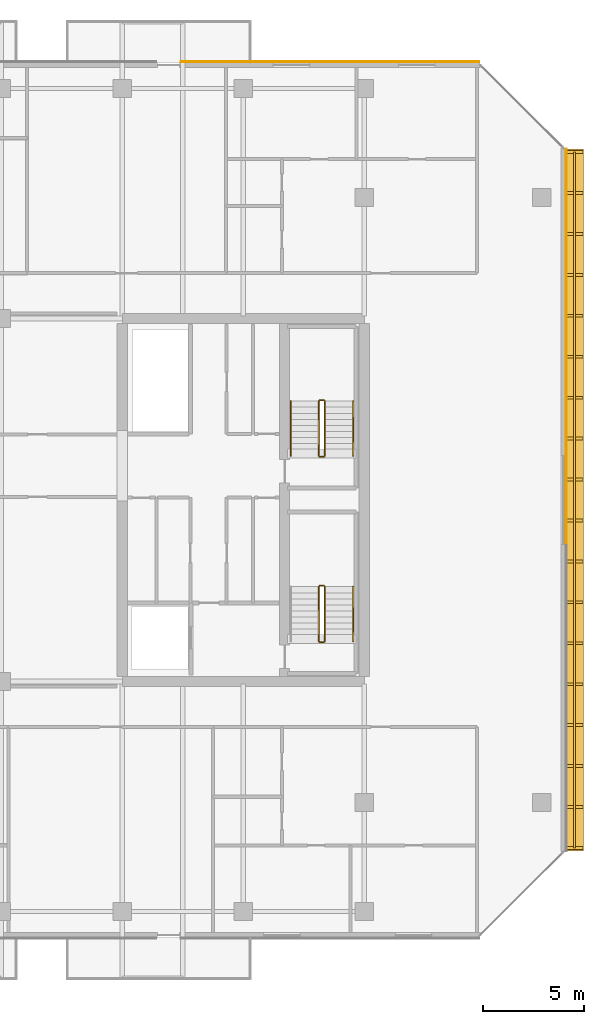
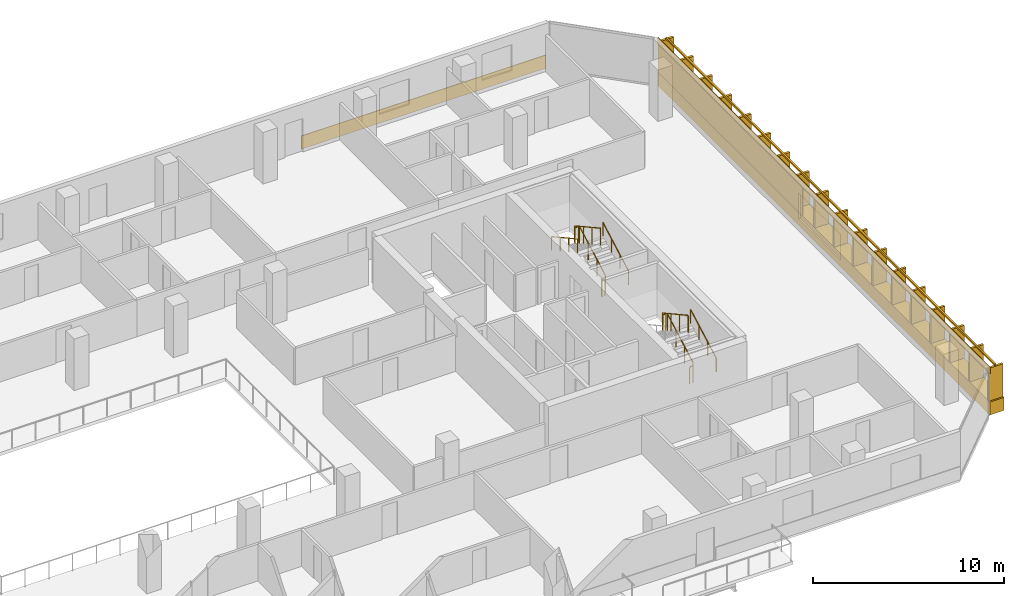
# One storey, part 29 of 29: 12 railings, 4 coverings.
"""IFC4 building model written with IfcOpenShell, lengths in metres."""

from ifc_helpers import new_model, si_unit, direction, frame, origin, origin_2d, place, context, subcontext, project, spatial, rectangle, extrude, material, layer, layer_set, type_object, element, save


model = new_model("IFC4")

# Units and contexts
model_context = context("Model", 3, precision=1e-05, world=origin(), true_north=direction((0.0, 1.0)))
body_context = subcontext(model_context, "Body", "Model", "MODEL_VIEW")
ifc_project = project(units=[si_unit("LENGTHUNIT", "METRE"), si_unit("AREAUNIT", "SQUARE_METRE"), si_unit("VOLUMEUNIT", "CUBIC_METRE"), si_unit("PLANEANGLEUNIT", "RADIAN"), si_unit("MASSUNIT", "GRAM", prefix="KILO")], contexts=[model_context])

# Site, building, storey
site_placement = place(None, origin())
site = spatial("IfcSite", under=ifc_project, at=site_placement, CompositionType="ELEMENT")
building_placement = place(site_placement, origin())
building = spatial("IfcBuilding", under=site, at=building_placement, Name="Tanjung Sevakor Pilgrim Tower", CompositionType="ELEMENT")
storey_placement = place(building_placement, frame((0.0, 0.0, 148.5)))
storey = spatial("IfcBuildingStorey", under=building, at=storey_placement, Name="L41", CompositionType="ELEMENT", Elevation=148.5)

# Coverings
ifc_material_1 = material(Name="Reconstructed Limestone Cladding", Category="masonry")
ifc_layer = layer(ifc_material_1, 0.044921875)
ifc_layer_set = layer_set([ifc_layer], Name="COV-CLAD-LIMESTONE")
covering_type = type_object("IfcCoveringType", Name="COV-CLAD-LIMESTONE", PredefinedType="CLADDING", material=ifc_layer_set)
covering_1_placement = place(storey_placement, frame((100.429931640625, 33.60009765625, 0.009765625), z_axis=(0.0, 0.0, 1.0), x_axis=(0.0, 1.0, 0.0)))
element("IfcCovering", 1, at=covering_1_placement, inside=storey, type_object=covering_type, Name="L41 Warm Limestone Sill Spandrel EW-L41-MAIN-7-1", PredefinedType="CLADDING", context=body_context, shape_type="SweptSolid", body=[
    extrude(rectangle(XDim=34.81640625, YDim=0.860107421875, at=origin_2d()), origin(), (0.0, 0.0, 1.0), 0.840087890625),
])
covering_2_placement = place(storey_placement, frame((100.0224609375, 33.60009765625, 2.66015625), z_axis=(0.0, 0.0, 1.0), x_axis=(0.0, 1.0, 0.0)))
element("IfcCovering", 2, at=covering_2_placement, inside=storey, type_object=covering_type, Name="L41 Warm Limestone Cornice Spandrel EW-L41-MAIN-7", PredefinedType="CLADDING", context=body_context, shape_type="SweptSolid", body=[
    extrude(rectangle(XDim=34.8564453125, YDim=0.044921875, at=origin_2d()), origin(), (0.0, 0.0, 1.0), 0.409912109375),
])
covering_3_placement = place(storey_placement, frame((100.0224609375, 43.42919921875, 0.849853515625), z_axis=(0.0, 0.0, 1.0), x_axis=(0.0, 1.0, 0.0)))
element("IfcCovering", 3, at=covering_3_placement, inside=storey, type_object=covering_type, Name="L41 Warm Limestone Pier Panel EW-L41-MAIN-7-2", PredefinedType="CLADDING", context=body_context, shape_type="SweptSolid", body=[
    extrude(rectangle(XDim=15.158203125, YDim=0.044921875, at=origin_2d()), origin(), (0.0, 0.0, 1.0), 1.81005859375),
])
covering_4_placement = place(storey_placement, frame((88.30908203125, 55.322509765625, 0.009765625), z_axis=(0.0, 0.0, 1.0), x_axis=(-1.0, 0.0, 0.0)))
element("IfcCovering", 4, at=covering_4_placement, inside=storey, type_object=covering_type, Name="L41 Warm Limestone Sill Spandrel EW-L41-MAIN-9-1", PredefinedType="CLADDING", context=body_context, shape_type="SweptSolid", body=[
    extrude(rectangle(XDim=14.798095703125, YDim=0.044921875, at=origin_2d()), origin(), (0.0, 0.0, 1.0), 0.840087890625),
])

# Railings
ifc_material_2 = material(Name="Anodised Bronze Aluminium 6063-T6", Category="aluminium")
railing_type_1 = type_object("IfcRailingType", Name="RL-FIN-SCREEN", PredefinedType="BALUSTRADE", material=ifc_material_2)
railing_1_placement = place(storey_placement, frame((100.425048828125, 16.351806640625, 0.840087890625)))
element("IfcRailing", 5, at=railing_1_placement, inside=storey, type_object=railing_type_1, Name="L41 Vertical Bronze-Gold Solar Fin Screen FNEND-EW-L41-MAIN-7-1", PredefinedType="BALUSTRADE", context=body_context, shape_type="SweptSolid", body=[
    extrude(rectangle(XDim=0.105, YDim=0.105), frame((0.0, 0.0, 2.157470703125), z_axis=(0.0, 1.0, 0.0), x_axis=(-1.0, 0.0, 0.0)), (0.0, 0.0, 1.0), 34.496337890625),
    extrude(rectangle(XDim=0.85, YDim=0.14), origin(), (0.0, 0.0, 1.0), 2.10498046875),
    extrude(rectangle(XDim=0.85, YDim=0.14), frame((0.0, 2.029296875, 0.0)), (0.0, 0.0, 1.0), 2.10498046875),
    extrude(rectangle(XDim=0.85, YDim=0.14), frame((0.0, 4.058349609375, 0.0)), (0.0, 0.0, 1.0), 2.10498046875),
    extrude(rectangle(XDim=0.85, YDim=0.14), frame((0.0, 6.087646484375, 0.0)), (0.0, 0.0, 1.0), 2.10498046875),
    extrude(rectangle(XDim=0.85, YDim=0.14), frame((0.0, 8.11669921875, 0.0)), (0.0, 0.0, 1.0), 2.10498046875),
    extrude(rectangle(XDim=0.85, YDim=0.14), frame((0.0, 10.14599609375, 0.0)), (0.0, 0.0, 1.0), 2.10498046875),
    extrude(rectangle(XDim=0.85, YDim=0.14), frame((0.0, 12.17529296875, 0.0)), (0.0, 0.0, 1.0), 2.10498046875),
    extrude(rectangle(XDim=0.85, YDim=0.14), frame((0.0, 14.204345703125, 0.0)), (0.0, 0.0, 1.0), 2.10498046875),
    extrude(rectangle(XDim=0.85, YDim=0.14), frame((0.0, 16.233642578125, 0.0)), (0.0, 0.0, 1.0), 2.10498046875),
    extrude(rectangle(XDim=0.85, YDim=0.14), frame((0.0, 18.2626953125, 0.0)), (0.0, 0.0, 1.0), 2.10498046875),
    extrude(rectangle(XDim=0.85, YDim=0.14), frame((0.0, 20.2919921875, 0.0)), (0.0, 0.0, 1.0), 2.10498046875),
    extrude(rectangle(XDim=0.85, YDim=0.14), frame((0.0, 22.321044921875, 0.0)), (0.0, 0.0, 1.0), 2.10498046875),
    extrude(rectangle(XDim=0.85, YDim=0.14), frame((0.0, 24.350341796875, 0.0)), (0.0, 0.0, 1.0), 2.10498046875),
    extrude(rectangle(XDim=0.85, YDim=0.14), frame((0.0, 26.379638671875, 0.0)), (0.0, 0.0, 1.0), 2.10498046875),
    extrude(rectangle(XDim=0.85, YDim=0.14), frame((0.0, 28.40869140625, 0.0)), (0.0, 0.0, 1.0), 2.10498046875),
    extrude(rectangle(XDim=0.85, YDim=0.14), frame((0.0, 30.43798828125, 0.0)), (0.0, 0.0, 1.0), 2.10498046875),
    extrude(rectangle(XDim=0.85, YDim=0.14), frame((0.0, 32.467041015625, 0.0)), (0.0, 0.0, 1.0), 2.10498046875),
    extrude(rectangle(XDim=0.85, YDim=0.14), frame((0.0, 34.496337890625, 0.0)), (0.0, 0.0, 1.0), 2.10498046875),
])
ifc_material_3 = material(Name="Steel S355J2", Category="steel")
railing_type_2 = type_object("IfcRailingType", Name="RL-STAIR-GUARD", PredefinedType="GUARDRAIL", material=ifc_material_3)
railing_2_placement = place(storey_placement, frame((88.050048828125, 26.60009765625, 0.1650390625)))
element("IfcRailing", 6, at=railing_2_placement, inside=storey, type_object=railing_type_2, Name="L41 TS-E1 stair guard 1", PredefinedType="GUARDRAIL", context=body_context, shape_type="SweptSolid", body=[
    extrude(rectangle(XDim=0.0479, YDim=0.0479), frame((0.0, 0.0, 1.076171875), z_axis=(0.0, 0.876230963923, 0.481891375584), x_axis=(-1.0, 0.0, 0.0)), (0.0, 0.0, 1.0), 3.081298828125),
    extrude(rectangle(XDim=0.042, YDim=0.042), origin(), (0.0, 0.0, 1.0), 1.052001953125),
    extrude(rectangle(XDim=0.042, YDim=0.042), frame((0.0, 0.89990234375, 0.494873046875)), (0.0, 0.0, 1.0), 1.052001953125),
    extrude(rectangle(XDim=0.042, YDim=0.042), frame((0.0, 1.800048828125, 0.989990234375)), (0.0, 0.0, 1.0), 1.052001953125),
    extrude(rectangle(XDim=0.042, YDim=0.042), frame((0.0, 2.699951171875, 1.48486328125)), (0.0, 0.0, 1.0), 1.052001953125),
])
railing_3_placement = place(storey_placement, frame((88.0, 29.35009765625, 1.64990234375)))
element("IfcRailing", 7, at=railing_3_placement, inside=storey, type_object=railing_type_2, Name="L41 TS-E1 stair guard 2", PredefinedType="GUARDRAIL", context=body_context, shape_type="SweptSolid", body=[
    extrude(rectangle(XDim=0.0479, YDim=0.0479), frame((0.0, 0.0, 1.076171875), z_axis=(-1.0, 0.0, 0.0), x_axis=(0.0, -1.0, 0.0)), (0.0, 0.0, 1.0), 0.199951171875),
    extrude(rectangle(XDim=0.042, YDim=0.042), origin(), (0.0, 0.0, 1.0), 1.052001953125),
    extrude(rectangle(XDim=0.042, YDim=0.042), frame((-0.199951171875, 0.0, 0.0)), (0.0, 0.0, 1.0), 1.052001953125),
])
railing_4_placement = place(storey_placement, frame((87.75, 29.300048828125, 1.81494140625)))
element("IfcRailing", 8, at=railing_4_placement, inside=storey, type_object=railing_type_2, Name="L41 TS-E1 stair guard 3", PredefinedType="GUARDRAIL", context=body_context, shape_type="SweptSolid", body=[
    extrude(rectangle(XDim=0.0479, YDim=0.0479), frame((0.0, 0.0, 1.076171875), z_axis=(0.0, -0.876197507361, 0.481952205197), x_axis=(1.0, 0.0, 0.0)), (0.0, 0.0, 1.0), 3.08154296875),
    extrude(rectangle(XDim=0.042, YDim=0.042), origin(), (0.0, 0.0, 1.0), 1.052001953125),
    extrude(rectangle(XDim=0.042, YDim=0.042), frame((0.0, -0.89990234375, 0.4951171875)), (0.0, 0.0, 1.0), 1.052001953125),
    extrude(rectangle(XDim=0.042, YDim=0.042), frame((0.0, -1.800048828125, 0.989990234375)), (0.0, 0.0, 1.0), 1.052001953125),
    extrude(rectangle(XDim=0.042, YDim=0.042), frame((0.0, -2.699951171875, 1.485107421875)), (0.0, 0.0, 1.0), 1.052001953125),
])
railing_5_placement = place(storey_placement, frame((88.0, 26.550048828125, 0.0)))
element("IfcRailing", 9, at=railing_5_placement, inside=storey, type_object=railing_type_2, Name="L41 TS-E1 stair guard 4", PredefinedType="GUARDRAIL", context=body_context, shape_type="SweptSolid", body=[
    extrude(rectangle(XDim=0.0479, YDim=0.0479), frame((0.0, 0.0, 1.076171875), z_axis=(-1.0, 0.0, 0.0), x_axis=(0.0, -1.0, 0.0)), (0.0, 0.0, 1.0), 0.199951171875),
    extrude(rectangle(XDim=0.042, YDim=0.042), origin(), (0.0, 0.0, 1.0), 1.052001953125),
    extrude(rectangle(XDim=0.042, YDim=0.042), frame((-0.199951171875, 0.0, 0.0)), (0.0, 0.0, 1.0), 1.052001953125),
])
railing_6_placement = place(storey_placement, frame((88.050048828125, 35.800048828125, 0.1650390625)))
element("IfcRailing", 10, at=railing_6_placement, inside=storey, type_object=railing_type_2, Name="L41 TS-E2 stair guard 1", PredefinedType="GUARDRAIL", context=body_context, shape_type="SweptSolid", body=[
    extrude(rectangle(XDim=0.0479, YDim=0.0479), frame((0.0, 0.0, 1.076171875), z_axis=(0.0, 0.876230963923, 0.481891375584), x_axis=(-1.0, 0.0, 0.0)), (0.0, 0.0, 1.0), 3.081298828125),
    extrude(rectangle(XDim=0.042, YDim=0.042), origin(), (0.0, 0.0, 1.0), 1.052001953125),
    extrude(rectangle(XDim=0.042, YDim=0.042), frame((0.0, 0.89990234375, 0.494873046875)), (0.0, 0.0, 1.0), 1.052001953125),
    extrude(rectangle(XDim=0.042, YDim=0.042), frame((0.0, 1.800048828125, 0.989990234375)), (0.0, 0.0, 1.0), 1.052001953125),
    extrude(rectangle(XDim=0.042, YDim=0.042), frame((0.0, 2.699951171875, 1.48486328125)), (0.0, 0.0, 1.0), 1.052001953125),
])
railing_7_placement = place(storey_placement, frame((88.0, 38.550048828125, 1.64990234375)))
element("IfcRailing", 11, at=railing_7_placement, inside=storey, type_object=railing_type_2, Name="L41 TS-E2 stair guard 2", PredefinedType="GUARDRAIL", context=body_context, shape_type="SweptSolid", body=[
    extrude(rectangle(XDim=0.0479, YDim=0.0479), frame((0.0, 0.0, 1.076171875), z_axis=(-1.0, 0.0, 0.0), x_axis=(0.0, -1.0, 0.0)), (0.0, 0.0, 1.0), 0.199951171875),
    extrude(rectangle(XDim=0.042, YDim=0.042), origin(), (0.0, 0.0, 1.0), 1.052001953125),
    extrude(rectangle(XDim=0.042, YDim=0.042), frame((-0.199951171875, 0.0, 0.0)), (0.0, 0.0, 1.0), 1.052001953125),
])
railing_8_placement = place(storey_placement, frame((87.75, 38.5, 1.81494140625)))
element("IfcRailing", 12, at=railing_8_placement, inside=storey, type_object=railing_type_2, Name="L41 TS-E2 stair guard 3", PredefinedType="GUARDRAIL", context=body_context, shape_type="SweptSolid", body=[
    extrude(rectangle(XDim=0.0479, YDim=0.0479), frame((0.0, 0.0, 1.076171875), z_axis=(0.0, -0.876197507361, 0.481952205197), x_axis=(1.0, 0.0, 0.0)), (0.0, 0.0, 1.0), 3.08154296875),
    extrude(rectangle(XDim=0.042, YDim=0.042), origin(), (0.0, 0.0, 1.0), 1.052001953125),
    extrude(rectangle(XDim=0.042, YDim=0.042), frame((0.0, -0.89990234375, 0.4951171875)), (0.0, 0.0, 1.0), 1.052001953125),
    extrude(rectangle(XDim=0.042, YDim=0.042), frame((0.0, -1.800048828125, 0.989990234375)), (0.0, 0.0, 1.0), 1.052001953125),
    extrude(rectangle(XDim=0.042, YDim=0.042), frame((0.0, -2.699951171875, 1.485107421875)), (0.0, 0.0, 1.0), 1.052001953125),
])
railing_9_placement = place(storey_placement, frame((88.0, 35.75, 0.0)))
element("IfcRailing", 13, at=railing_9_placement, inside=storey, type_object=railing_type_2, Name="L41 TS-E2 stair guard 4", PredefinedType="GUARDRAIL", context=body_context, shape_type="SweptSolid", body=[
    extrude(rectangle(XDim=0.0479, YDim=0.0479), frame((0.0, 0.0, 1.076171875), z_axis=(-1.0, 0.0, 0.0), x_axis=(0.0, -1.0, 0.0)), (0.0, 0.0, 1.0), 0.199951171875),
    extrude(rectangle(XDim=0.042, YDim=0.042), origin(), (0.0, 0.0, 1.0), 1.052001953125),
    extrude(rectangle(XDim=0.042, YDim=0.042), frame((-0.199951171875, 0.0, 0.0)), (0.0, 0.0, 1.0), 1.052001953125),
])
ifc_material_4 = material(Name="Steel S355J2", Category="steel")
railing_type_3 = type_object("IfcRailingType", Name="RL-STAIR-HAND", PredefinedType="HANDRAIL", material=ifc_material_4)
for number, where, name in (
    (14, (89.449951171875, 26.60009765625, 0.1650390625), "L41 TS-E1 stair handrail 1"),
    (15, (89.449951171875, 35.800048828125, 0.1650390625), "L41 TS-E2 stair handrail 1"),
):
    element("IfcRailing", number, at=place(storey_placement, frame(where)), inside=storey, type_object=railing_type_3, Name=name, PredefinedType="HANDRAIL", context=body_context, shape_type="SweptSolid", body=[
        extrude(rectangle(XDim=0.0479, YDim=0.0479), frame((0.0, 0.0, 0.8759765625), z_axis=(0.0, 0.876230963923, 0.481891375584), x_axis=(-1.0, 0.0, 0.0)), (0.0, 0.0, 1.0), 3.081298828125),
        extrude(rectangle(XDim=0.042, YDim=0.042), origin(), (0.0, 0.0, 1.0), 0.851806640625),
        extrude(rectangle(XDim=0.042, YDim=0.042), frame((0.0, 0.89990234375, 0.494873046875)), (0.0, 0.0, 1.0), 0.851806640625),
        extrude(rectangle(XDim=0.042, YDim=0.042), frame((0.0, 1.800048828125, 0.989990234375)), (0.0, 0.0, 1.0), 0.851806640625),
        extrude(rectangle(XDim=0.042, YDim=0.042), frame((0.0, 2.699951171875, 1.48486328125)), (0.0, 0.0, 1.0), 0.851806640625),
    ])
railing_10_placement = place(storey_placement, frame((86.35009765625, 38.5, 1.81494140625)))
element("IfcRailing", 16, at=railing_10_placement, inside=storey, type_object=railing_type_3, Name="L41 TS-E2 stair handrail 2", PredefinedType="HANDRAIL", context=body_context, shape_type="SweptSolid", body=[
    extrude(rectangle(XDim=0.0479, YDim=0.0479), frame((0.0, 0.0, 0.8759765625), z_axis=(0.0, -0.876197507361, 0.481952205197), x_axis=(1.0, 0.0, 0.0)), (0.0, 0.0, 1.0), 3.08154296875),
    extrude(rectangle(XDim=0.042, YDim=0.042), origin(), (0.0, 0.0, 1.0), 0.851806640625),
    extrude(rectangle(XDim=0.042, YDim=0.042), frame((0.0, -0.89990234375, 0.4951171875)), (0.0, 0.0, 1.0), 0.851806640625),
    extrude(rectangle(XDim=0.042, YDim=0.042), frame((0.0, -1.800048828125, 0.989990234375)), (0.0, 0.0, 1.0), 0.851806640625),
    extrude(rectangle(XDim=0.042, YDim=0.042), frame((0.0, -2.699951171875, 1.485107421875)), (0.0, 0.0, 1.0), 0.851806640625),
])

save(model, "model.ifc")
